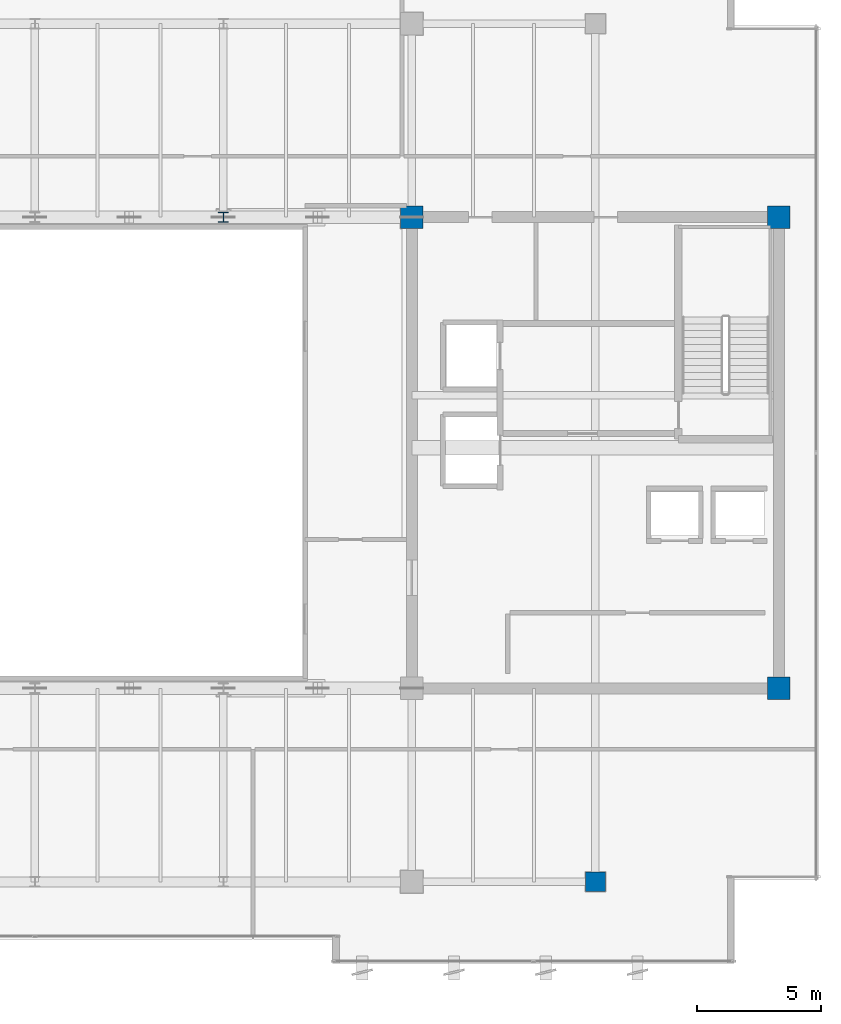
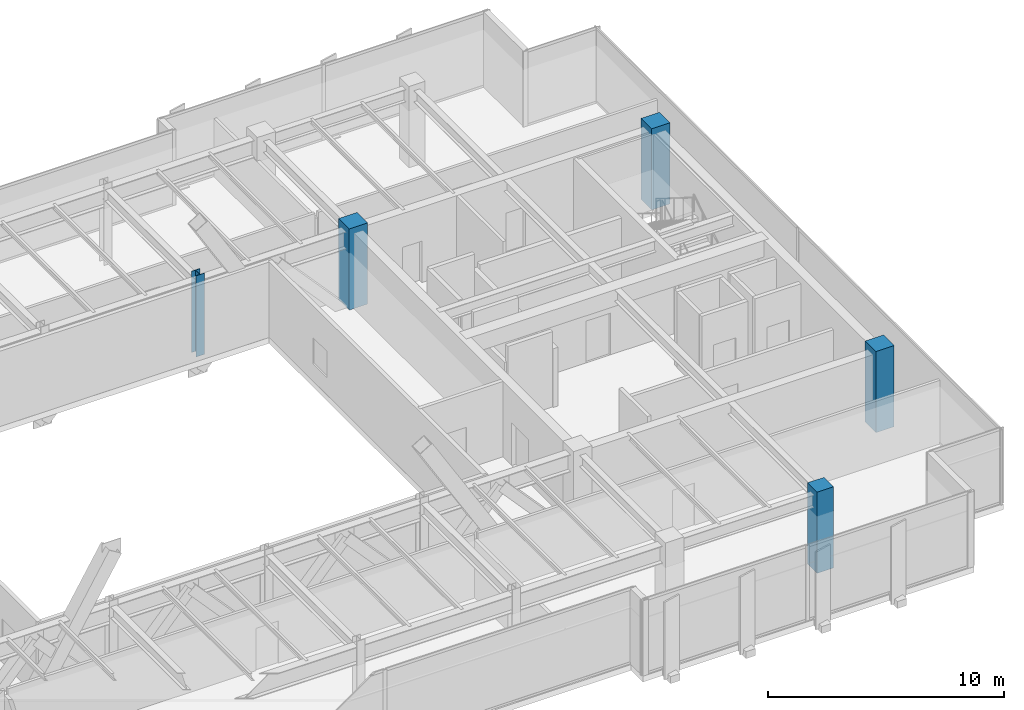
# One storey, part 2 of 32: 5 columns.
"""IFC4 building model written with IfcOpenShell, lengths in metres."""

from ifc_helpers import new_model, si_unit, direction, frame, origin, origin_2d, place, context, subcontext, project, spatial, rectangle, i_section, extrude, source, transform, mapped, material, material_profile, profile_set, type_object, type_shapes, element, save


model = new_model("IFC4")

# Units and contexts
model_context = context("Model", 3, precision=1e-05, world=origin(), true_north=direction((0.0, 1.0)))
body_context = subcontext(model_context, "Body", "Model", "MODEL_VIEW")
ifc_project = project(units=[si_unit("LENGTHUNIT", "METRE"), si_unit("AREAUNIT", "SQUARE_METRE"), si_unit("VOLUMEUNIT", "CUBIC_METRE"), si_unit("PLANEANGLEUNIT", "RADIAN"), si_unit("MASSUNIT", "GRAM", prefix="KILO")], contexts=[model_context])

# Site, building, storey
site_placement = place(None, origin())
site = spatial("IfcSite", under=ifc_project, at=site_placement, CompositionType="ELEMENT")
building_placement = place(site_placement, origin())
building = spatial("IfcBuilding", under=site, at=building_placement, Name="Haelvirn Gate Laboratories", CompositionType="ELEMENT")
storey_placement = place(building_placement, frame((0.0, 0.0, 306.0)))
storey = spatial("IfcBuildingStorey", under=building, at=storey_placement, Name="L73", CompositionType="ELEMENT", Elevation=306.0)

# Columns
ifc_material_1 = material(Name="Concrete C50/60", Category="concrete")
ifc_material_profile_1 = material_profile(ifc_material_1, rectangle(XDim=0.800048828125, YDim=0.800048828125, at=origin_2d()), Name="RC-800x800")
ifc_profile_set_1 = profile_set([ifc_material_profile_1], Name="Concrete C50/60")
column_type_1 = type_object("IfcColumnType", Name="COL-RC-800", PredefinedType="COLUMN", material=ifc_profile_set_1)
shared_shape_1 = source(origin(), body_context, "Body", "SweptSolid", [
    extrude(rectangle(XDim=0.800048828125, YDim=0.800048828125, at=origin_2d()), origin(), (0.0, 0.0, 1.0), 4.199951171875),
])
type_shapes(column_type_1, [shared_shape_1])
column_1_placement = place(storey_placement, frame((60.0, 7.0, 0.0), z_axis=(0.0, 0.0, 1.0), x_axis=(1.0, 0.0, 0.0)))
element("IfcColumn", 1, at=column_1_placement, inside=storey, type_object=column_type_1, Name="L73 Column 9B", PredefinedType="COLUMN", context=body_context, shape_type="MappedRepresentation", body=[
    mapped(shared_shape_1, transform((0.0, 0.0, 0.0), scale=1.0)),
])
ifc_material_profile_2 = material_profile(ifc_material_1, rectangle(XDim=0.89990234375, YDim=0.89990234375, at=origin_2d()), Name="RC-900x900")
ifc_profile_set_2 = profile_set([ifc_material_profile_2], Name="Concrete C50/60")
column_type_2 = type_object("IfcColumnType", Name="COL-RC-900", PredefinedType="COLUMN", material=ifc_profile_set_2)
shared_shape_2 = source(origin(), body_context, "Body", "SweptSolid", [
    extrude(rectangle(XDim=0.89990234375, YDim=0.89990234375, at=origin_2d()), origin(), (0.0, 0.0, 1.0), 4.199951171875),
])
type_shapes(column_type_2, [shared_shape_2])
for number, where, z_axis, x_axis, name in (
    (2, (67.39990234375, 14.800048828125, 0.0), (0.0, 0.0, 1.0), (1.0, 0.0, 0.0), "L73 Column 10C"),
    (3, (52.60009765625, 33.800048828125, 0.0), (0.0, 0.0, 1.0), (1.0, 0.0, 0.0), "L73 Column 8F"),
    (4, (67.39990234375, 33.800048828125, 0.0), (0.0, 0.0, 1.0), (1.0, 0.0, 0.0), "L73 Column 10F"),
):
    element("IfcColumn", number, at=place(storey_placement, frame(where, z_axis=z_axis, x_axis=x_axis)), inside=storey, type_object=column_type_2, Name=name, PredefinedType="COLUMN", context=body_context, shape_type="MappedRepresentation", body=[
        mapped(shared_shape_2, transform((0.0, 0.0, 0.0), scale=1.0)),
    ])
ifc_material_2 = material(Name="Steel SM355", Category="steel")
ifc_material_profile_3 = material_profile(ifc_material_2, i_section(OverallWidth=0.39990234375, OverallDepth=0.39990234375, WebThickness=0.02099609375, FlangeThickness=0.02099609375, at=origin_2d()), Name="H-400x400x21x21")
ifc_profile_set_3 = profile_set([ifc_material_profile_3], Name="Steel SM355")
column_type_3 = type_object("IfcColumnType", Name="COL-H-400", PredefinedType="COLUMN", material=ifc_profile_set_3)
shared_shape_3 = source(origin(), body_context, "Body", "SweptSolid", [
    extrude(i_section(OverallWidth=0.39990234375, OverallDepth=0.39990234375, WebThickness=0.02099609375, FlangeThickness=0.02099609375, at=origin_2d()), origin(), (0.0, 0.0, 1.0), 4.199951171875),
])
type_shapes(column_type_3, [shared_shape_3])
column_2_placement = place(storey_placement, frame((45.0, 33.800048828125, 0.0), z_axis=(0.0, 0.0, 1.0), x_axis=(1.0, 0.0, 0.0)))
element("IfcColumn", 5, at=column_2_placement, inside=storey, type_object=column_type_3, Name="L73 Column 7F", PredefinedType="COLUMN", context=body_context, shape_type="MappedRepresentation", body=[
    mapped(shared_shape_3, transform((0.0, 0.0, 0.0), scale=1.0)),
])

save(model, "model.ifc")
